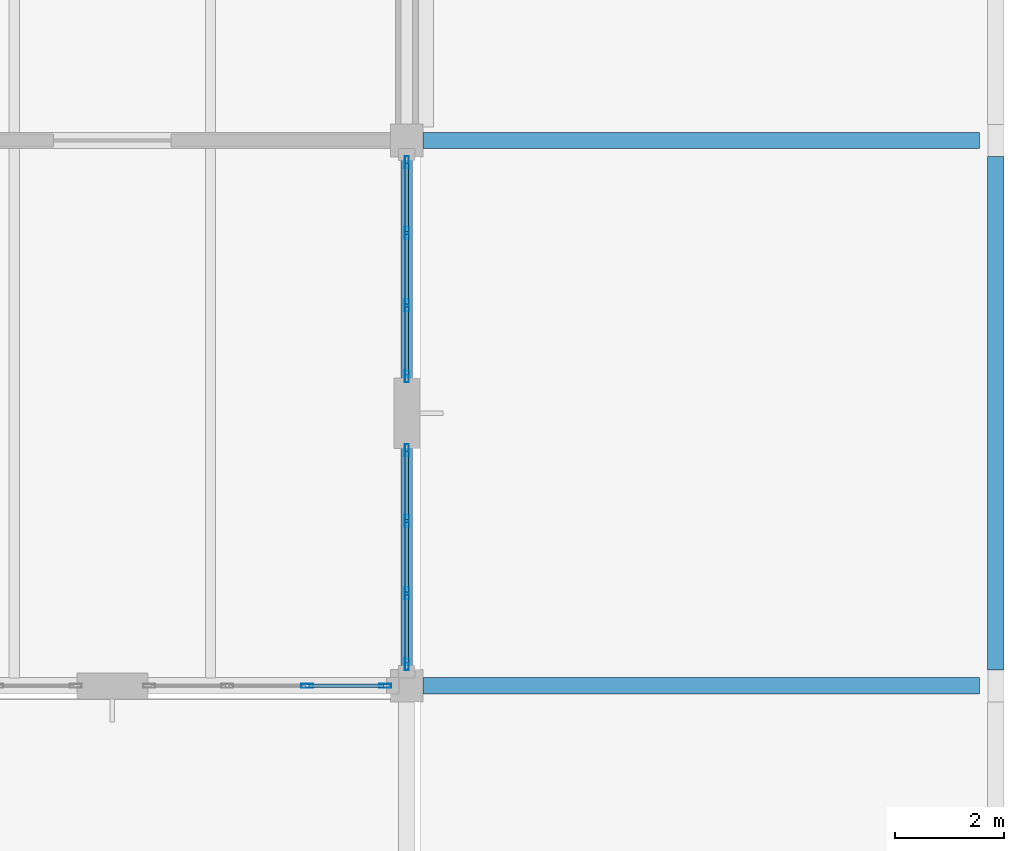
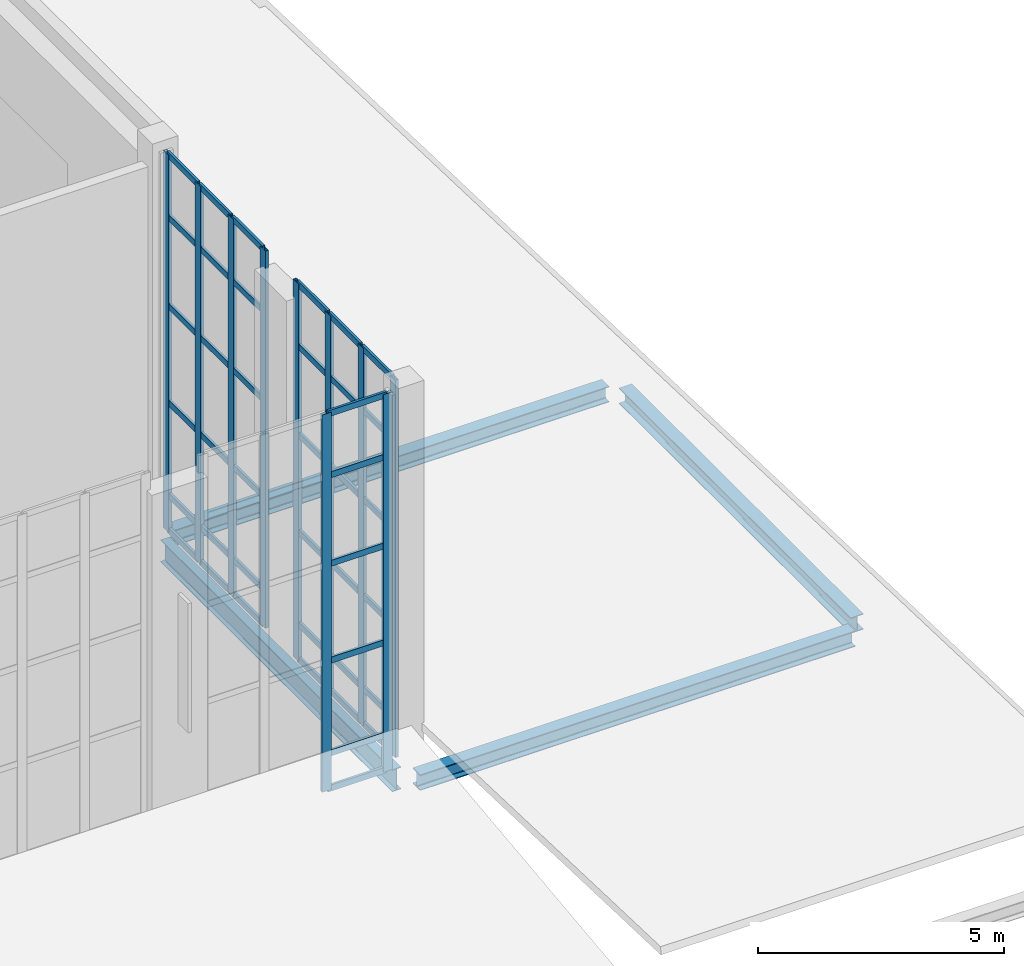
# One storey, part 59 of 100: 52 members, 4 beams, 3 elements without a shape of their own.
"""IFC4 building model written with IfcOpenShell, lengths in metres."""

from ifc_helpers import new_model, si_unit, direction, frame, origin, origin_2d, place, context, subcontext, project, spatial, hollow_rectangle, i_section, extrude, material, layer, layer_set, material_profile, profile_set, type_object, element, aggregate, save


model = new_model("IFC4")

# Units and contexts
model_context = context("Model", 3, precision=1e-05, world=origin(), true_north=direction((0.0, 1.0)))
body_context = subcontext(model_context, "Body", "Model", "MODEL_VIEW")
ifc_project = project(units=[si_unit("LENGTHUNIT", "METRE"), si_unit("AREAUNIT", "SQUARE_METRE"), si_unit("VOLUMEUNIT", "CUBIC_METRE"), si_unit("PLANEANGLEUNIT", "RADIAN"), si_unit("MASSUNIT", "GRAM", prefix="KILO")], contexts=[model_context])

# Site, building, storey
site_placement = place(None, origin())
site = spatial("IfcSite", under=ifc_project, at=site_placement, CompositionType="ELEMENT")
building_placement = place(site_placement, origin())
building = spatial("IfcBuilding", under=site, at=building_placement, Name="Tasgan Crest Museum", CompositionType="ELEMENT")
storey_placement = place(building_placement, frame((0.0, 0.0, 14.39990234375)))
storey = spatial("IfcBuildingStorey", under=building, at=storey_placement, Name="L03", CompositionType="ELEMENT", Elevation=14.39990234375)

# Beams
ifc_material_1 = material(Name="Steel S355J2", Category="steel")
ifc_material_profile_1 = material_profile(ifc_material_1, i_section(OverallWidth=0.300048828125, OverallDepth=0.389892578125, WebThickness=0.010986328125, FlangeThickness=0.01904296875, FilletRadius=0.027099609375, at=origin_2d()), Name="HEA 400")
ifc_profile_set_1 = profile_set([ifc_material_profile_1], Name="Steel S355J2")
beam_type_1 = type_object("IfcBeamType", Name="BM-G-HEA400", PredefinedType="BEAM", material=ifc_profile_set_1)
for number, where, z_axis, x_axis, name in (
    (1, (129.89599609375, 30.0, -0.474853515625), (1.0, 0.0, 0.0), (0.0, 1.0, 0.0), "East archive mid step roof girder D 129.6"),
    (2, (129.89599609375, 40.0, -0.474853515625), (1.0, 0.0, 0.0), (0.0, 1.0, 0.0), "East archive mid step roof girder E 129.6"),
):
    element("IfcBeam", number, at=place(storey_placement, frame(where, z_axis=z_axis, x_axis=x_axis)), inside=storey, type_object=beam_type_1, Name=name, PredefinedType="BEAM", context=body_context, shape_type="SweptSolid", body=[
        extrude(i_section(OverallWidth=0.300048828125, OverallDepth=0.389892578125, WebThickness=0.010986328125, FlangeThickness=0.01904296875, FilletRadius=0.027099609375, at=origin_2d()), origin(), (0.0, 0.0, 1.0), 10.2080078125),
    ])
beam_1_placement = place(storey_placement, frame((140.39990234375, 30.294921875, -0.474853515625), z_axis=(0.0, 1.0, 0.0), x_axis=(-1.0, 0.0, 0.0)))
element("IfcBeam", 3, at=beam_1_placement, inside=storey, type_object=beam_type_1, Name="East archive mid step roof beam 14 30.0", PredefinedType="BEAM", context=body_context, shape_type="SweptSolid", body=[
    extrude(i_section(OverallWidth=0.300048828125, OverallDepth=0.389892578125, WebThickness=0.010986328125, FlangeThickness=0.01904296875, FilletRadius=0.027099609375, at=origin_2d()), origin(), (0.0, 0.0, 1.0), 9.41015625),
])
ifc_material_2 = material(Name="Steel S355J2", Category="steel")
ifc_material_profile_2 = material_profile(ifc_material_2, i_section(OverallWidth=0.2099609375, OverallDepth=0.550048828125, WebThickness=0.010986328125, FlangeThickness=0.01708984375, FilletRadius=0.02392578125, at=origin_2d()), Name="IPE 550")
ifc_profile_set_2 = profile_set([ifc_material_profile_2], Name="Steel S355J2")
beam_type_2 = type_object("IfcBeamType", Name="BM-G-IPE550", PredefinedType="BEAM", material=ifc_profile_set_2)
beam_2_placement = place(storey_placement, frame((129.60009765625, 30.294921875, -0.554931640625), z_axis=(0.0, 1.0, 0.0), x_axis=(-1.0, 0.0, 0.0)))
element("IfcBeam", 4, at=beam_2_placement, inside=storey, type_object=beam_type_2, Name="Beam L03 13 30.0-40.0", PredefinedType="BEAM", context=body_context, shape_type="SweptSolid", body=[
    extrude(i_section(OverallWidth=0.2099609375, OverallDepth=0.550048828125, WebThickness=0.010986328125, FlangeThickness=0.01708984375, FilletRadius=0.02392578125, at=origin_2d()), origin(), (0.0, 0.0, 1.0), 9.41015625),
])

# Curtain wall, members
ifc_material_3 = material(Name="Triple-Glazed Aluminium Curtain Wall", Category="aluminium")
ifc_layer_1 = layer(ifc_material_3, 0.179931640625, Name="CW-GAL-X-96")
ifc_layer_set_1 = layer_set([ifc_layer_1], Name="Triple-Glazed Aluminium Curtain Wall")
curtain_wall_type_1 = type_object("IfcCurtainWallType", Name="CW-GAL-X-96", PredefinedType="NOTDEFINED", material=ifc_layer_set_1)
curtain_wall_1_placement = place(storey_placement, origin())
curtain_wall_1 = element("IfcCurtainWall", 5, at=curtain_wall_1_placement, inside=storey, type_object=curtain_wall_type_1, Name="Curtain wall L03 116", PredefinedType="NOTDEFINED")
ifc_material_4 = material(Name="Anodised Aluminium", Category="aluminium")
ifc_material_profile_3 = material_profile(ifc_material_4, hollow_rectangle(XDim=0.074951171875, YDim=0.219970703125, WallThickness=0.006103515625, at=origin_2d()), Name="ALU MULLION 220x75x6")
ifc_profile_set_3 = profile_set([ifc_material_profile_3], Name="Anodised Aluminium")
member_type_1 = type_object("IfcMemberType", Name="CW-MULLION-220", PredefinedType="MULLION", material=ifc_profile_set_3)
member_1_placement = place(storey_placement, frame((127.771728515625, 30.0, 0.0), z_axis=(0.0, 0.0, 1.0), x_axis=(0.0, 1.0, 0.0)))
member_1 = element("IfcMember", 6, at=member_1_placement, type_object=member_type_1, Name="CW14 mullion 3", PredefinedType="MULLION", context=body_context, shape_type="SweptSolid", body=[
    extrude(hollow_rectangle(XDim=0.074951171875, YDim=0.219970703125, WallThickness=0.006103515625, at=origin_2d()), origin(), (0.0, 0.0, 1.0), 9.360107421875),
])
member_2_placement = place(storey_placement, frame((129.205078125, 30.0, 0.0), z_axis=(0.0, 0.0, 1.0), x_axis=(0.0, 1.0, 0.0)))
member_2 = element("IfcMember", 7, at=member_2_placement, type_object=member_type_1, Name="CW14 mullion 4", PredefinedType="MULLION", context=body_context, shape_type="SweptSolid", body=[
    extrude(hollow_rectangle(XDim=0.074951171875, YDim=0.219970703125, WallThickness=0.006103515625, at=origin_2d()), origin(), (0.0, 0.0, 1.0), 9.360107421875),
])

ifc_material_5 = material(Name="Triple-Glazed Aluminium Curtain Wall", Category="aluminium")
ifc_layer_2 = layer(ifc_material_5, 0.179931640625, Name="CW-GAL-Y-96")
ifc_layer_set_2 = layer_set([ifc_layer_2], Name="Triple-Glazed Aluminium Curtain Wall")
curtain_wall_type_2 = type_object("IfcCurtainWallType", Name="CW-GAL-Y-96", PredefinedType="NOTDEFINED", material=ifc_layer_set_2)
curtain_wall_2_placement = place(storey_placement, origin())
curtain_wall_2 = element("IfcCurtainWall", 8, at=curtain_wall_2_placement, inside=storey, type_object=curtain_wall_type_2, Name="Curtain wall L03 117", PredefinedType="NOTDEFINED")
member_3_placement = place(storey_placement, frame((129.60009765625, 30.39501953125, 0.0), z_axis=(0.0, 0.0, 1.0), x_axis=(-1.0, 0.0, 0.0)))
member_3 = element("IfcMember", 9, at=member_3_placement, type_object=member_type_1, Name="CW17 mullion 1", PredefinedType="MULLION", context=body_context, shape_type="SweptSolid", body=[
    extrude(hollow_rectangle(XDim=0.074951171875, YDim=0.219970703125, WallThickness=0.006103515625, at=origin_2d()), origin(), (0.0, 0.0, 1.0), 9.360107421875),
])
member_4_placement = place(storey_placement, frame((129.60009765625, 31.695068359375, 0.0), z_axis=(0.0, 0.0, 1.0), x_axis=(-1.0, 0.0, 0.0)))
member_4 = element("IfcMember", 10, at=member_4_placement, type_object=member_type_1, Name="CW17 mullion 2", PredefinedType="MULLION", context=body_context, shape_type="SweptSolid", body=[
    extrude(hollow_rectangle(XDim=0.074951171875, YDim=0.219970703125, WallThickness=0.006103515625, at=origin_2d()), origin(), (0.0, 0.0, 1.0), 9.360107421875),
])
member_5_placement = place(storey_placement, frame((129.60009765625, 33.02490234375, 0.0), z_axis=(0.0, 0.0, 1.0), x_axis=(-1.0, 0.0, 0.0)))
member_5 = element("IfcMember", 11, at=member_5_placement, type_object=member_type_1, Name="CW17 mullion 3", PredefinedType="MULLION", context=body_context, shape_type="SweptSolid", body=[
    extrude(hollow_rectangle(XDim=0.074951171875, YDim=0.219970703125, WallThickness=0.006103515625, at=origin_2d()), origin(), (0.0, 0.0, 1.0), 9.360107421875),
])
member_6_placement = place(storey_placement, frame((129.60009765625, 34.324951171875, 0.0), z_axis=(0.0, 0.0, 1.0), x_axis=(-1.0, 0.0, 0.0)))
member_6 = element("IfcMember", 12, at=member_6_placement, type_object=member_type_1, Name="CW17 mullion 4", PredefinedType="MULLION", context=body_context, shape_type="SweptSolid", body=[
    extrude(hollow_rectangle(XDim=0.074951171875, YDim=0.219970703125, WallThickness=0.006103515625, at=origin_2d()), origin(), (0.0, 0.0, 1.0), 9.360107421875),
])

curtain_wall_3_placement = place(storey_placement, origin())
curtain_wall_3 = element("IfcCurtainWall", 13, at=curtain_wall_3_placement, inside=storey, type_object=curtain_wall_type_2, Name="Curtain wall L03 118", PredefinedType="NOTDEFINED")
member_7_placement = place(storey_placement, frame((129.60009765625, 35.675048828125, 0.0), z_axis=(0.0, 0.0, 1.0), x_axis=(-1.0, 0.0, 0.0)))
member_7 = element("IfcMember", 14, at=member_7_placement, type_object=member_type_1, Name="CW17 mullion 1", PredefinedType="MULLION", context=body_context, shape_type="SweptSolid", body=[
    extrude(hollow_rectangle(XDim=0.074951171875, YDim=0.219970703125, WallThickness=0.006103515625, at=origin_2d()), origin(), (0.0, 0.0, 1.0), 9.360107421875),
])
member_8_placement = place(storey_placement, frame((129.60009765625, 36.97509765625, 0.0), z_axis=(0.0, 0.0, 1.0), x_axis=(-1.0, 0.0, 0.0)))
member_8 = element("IfcMember", 15, at=member_8_placement, type_object=member_type_1, Name="CW17 mullion 2", PredefinedType="MULLION", context=body_context, shape_type="SweptSolid", body=[
    extrude(hollow_rectangle(XDim=0.074951171875, YDim=0.219970703125, WallThickness=0.006103515625, at=origin_2d()), origin(), (0.0, 0.0, 1.0), 9.360107421875),
])
member_9_placement = place(storey_placement, frame((129.60009765625, 38.304931640625, 0.0), z_axis=(0.0, 0.0, 1.0), x_axis=(-1.0, 0.0, 0.0)))
member_9 = element("IfcMember", 16, at=member_9_placement, type_object=member_type_1, Name="CW17 mullion 3", PredefinedType="MULLION", context=body_context, shape_type="SweptSolid", body=[
    extrude(hollow_rectangle(XDim=0.074951171875, YDim=0.219970703125, WallThickness=0.006103515625, at=origin_2d()), origin(), (0.0, 0.0, 1.0), 9.360107421875),
])
member_10_placement = place(storey_placement, frame((129.60009765625, 39.60498046875, 0.0), z_axis=(0.0, 0.0, 1.0), x_axis=(-1.0, 0.0, 0.0)))
member_10 = element("IfcMember", 17, at=member_10_placement, type_object=member_type_1, Name="CW17 mullion 4", PredefinedType="MULLION", context=body_context, shape_type="SweptSolid", body=[
    extrude(hollow_rectangle(XDim=0.074951171875, YDim=0.219970703125, WallThickness=0.006103515625, at=origin_2d()), origin(), (0.0, 0.0, 1.0), 9.360107421875),
])

# Member
ifc_material_6 = material(Name="Anodised Aluminium", Category="aluminium")
ifc_material_profile_4 = material_profile(ifc_material_6, hollow_rectangle(XDim=0.06005859375, YDim=0.14990234375, WallThickness=0.0048828125, at=origin_2d()), Name="ALU TRANSOM 150x60x5")
ifc_profile_set_4 = profile_set([ifc_material_profile_4], Name="Anodised Aluminium")
member_type_2 = type_object("IfcMemberType", Name="CW-TRANSOM-150", PredefinedType="USERDEFINED", material=ifc_profile_set_4)
member_11_placement = place(storey_placement, frame((127.8017578125, 30.0, 0.030029296875), z_axis=(1.0, 0.0, 0.0), x_axis=(0.0, 1.0, 0.0)))
member_11 = element("IfcMember", 18, at=member_11_placement, type_object=member_type_2, Name="CW14 transom 3.1", ObjectType="TRANSOM", PredefinedType="USERDEFINED", context=body_context, shape_type="SweptSolid", body=[
    extrude(hollow_rectangle(XDim=0.06005859375, YDim=0.14990234375, WallThickness=0.0048828125, at=origin_2d()), origin(), (0.0, 0.0, 1.0), 1.373291015625),
])

member_12_placement = place(storey_placement, frame((127.8017578125, 30.0, 0.900146484375), z_axis=(1.0, 0.0, 0.0), x_axis=(0.0, 1.0, 0.0)))
member_12 = element("IfcMember", 19, at=member_12_placement, type_object=member_type_2, Name="CW14 transom 3.2", ObjectType="TRANSOM", PredefinedType="USERDEFINED", context=body_context, shape_type="SweptSolid", body=[
    extrude(hollow_rectangle(XDim=0.06005859375, YDim=0.14990234375, WallThickness=0.0048828125, at=origin_2d()), origin(), (0.0, 0.0, 1.0), 1.373291015625),
])

member_13_placement = place(storey_placement, frame((127.8017578125, 30.0, 3.2001953125), z_axis=(1.0, 0.0, 0.0), x_axis=(0.0, 1.0, 0.0)))
member_13 = element("IfcMember", 20, at=member_13_placement, type_object=member_type_2, Name="CW14 transom 3.3", ObjectType="TRANSOM", PredefinedType="USERDEFINED", context=body_context, shape_type="SweptSolid", body=[
    extrude(hollow_rectangle(XDim=0.06005859375, YDim=0.14990234375, WallThickness=0.0048828125, at=origin_2d()), origin(), (0.0, 0.0, 1.0), 1.373291015625),
])

member_14_placement = place(storey_placement, frame((127.8017578125, 30.0, 5.60009765625), z_axis=(1.0, 0.0, 0.0), x_axis=(0.0, 1.0, 0.0)))
member_14 = element("IfcMember", 21, at=member_14_placement, type_object=member_type_2, Name="CW14 transom 3.4", ObjectType="TRANSOM", PredefinedType="USERDEFINED", context=body_context, shape_type="SweptSolid", body=[
    extrude(hollow_rectangle(XDim=0.06005859375, YDim=0.14990234375, WallThickness=0.0048828125, at=origin_2d()), origin(), (0.0, 0.0, 1.0), 1.373291015625),
])

member_15_placement = place(storey_placement, frame((127.8017578125, 30.0, 7.800048828125), z_axis=(1.0, 0.0, 0.0), x_axis=(0.0, 1.0, 0.0)))
member_15 = element("IfcMember", 22, at=member_15_placement, type_object=member_type_2, Name="CW14 transom 3.5", ObjectType="TRANSOM", PredefinedType="USERDEFINED", context=body_context, shape_type="SweptSolid", body=[
    extrude(hollow_rectangle(XDim=0.06005859375, YDim=0.14990234375, WallThickness=0.0048828125, at=origin_2d()), origin(), (0.0, 0.0, 1.0), 1.373291015625),
])

member_16_placement = place(storey_placement, frame((127.8017578125, 30.0, 9.330078125), z_axis=(1.0, 0.0, 0.0), x_axis=(0.0, 1.0, 0.0)))
member_16 = element("IfcMember", 23, at=member_16_placement, type_object=member_type_2, Name="CW14 transom 3.6", ObjectType="TRANSOM", PredefinedType="USERDEFINED", context=body_context, shape_type="SweptSolid", body=[
    extrude(hollow_rectangle(XDim=0.06005859375, YDim=0.14990234375, WallThickness=0.0048828125, at=origin_2d()), origin(), (0.0, 0.0, 1.0), 1.373291015625),
])

aggregate(curtain_wall_1, [member_1, member_2, member_11, member_12, member_13, member_14, member_15, member_16])

member_17_placement = place(storey_placement, frame((129.60009765625, 30.425048828125, 0.030029296875), z_axis=(0.0, 1.0, 0.0), x_axis=(-1.0, 0.0, 0.0)))
member_17 = element("IfcMember", 24, at=member_17_placement, type_object=member_type_2, Name="CW17 transom 1.1", ObjectType="TRANSOM", PredefinedType="USERDEFINED", context=body_context, shape_type="SweptSolid", body=[
    extrude(hollow_rectangle(XDim=0.06005859375, YDim=0.14990234375, WallThickness=0.0048828125, at=origin_2d()), origin(), (0.0, 0.0, 1.0), 1.239990234375),
])

member_18_placement = place(storey_placement, frame((129.60009765625, 30.425048828125, 0.900146484375), z_axis=(0.0, 1.0, 0.0), x_axis=(-1.0, 0.0, 0.0)))
member_18 = element("IfcMember", 25, at=member_18_placement, type_object=member_type_2, Name="CW17 transom 1.2", ObjectType="TRANSOM", PredefinedType="USERDEFINED", context=body_context, shape_type="SweptSolid", body=[
    extrude(hollow_rectangle(XDim=0.06005859375, YDim=0.14990234375, WallThickness=0.0048828125, at=origin_2d()), origin(), (0.0, 0.0, 1.0), 1.239990234375),
])

member_19_placement = place(storey_placement, frame((129.60009765625, 30.425048828125, 3.2001953125), z_axis=(0.0, 1.0, 0.0), x_axis=(-1.0, 0.0, 0.0)))
member_19 = element("IfcMember", 26, at=member_19_placement, type_object=member_type_2, Name="CW17 transom 1.3", ObjectType="TRANSOM", PredefinedType="USERDEFINED", context=body_context, shape_type="SweptSolid", body=[
    extrude(hollow_rectangle(XDim=0.06005859375, YDim=0.14990234375, WallThickness=0.0048828125, at=origin_2d()), origin(), (0.0, 0.0, 1.0), 1.239990234375),
])

member_20_placement = place(storey_placement, frame((129.60009765625, 30.425048828125, 5.60009765625), z_axis=(0.0, 1.0, 0.0), x_axis=(-1.0, 0.0, 0.0)))
member_20 = element("IfcMember", 27, at=member_20_placement, type_object=member_type_2, Name="CW17 transom 1.4", ObjectType="TRANSOM", PredefinedType="USERDEFINED", context=body_context, shape_type="SweptSolid", body=[
    extrude(hollow_rectangle(XDim=0.06005859375, YDim=0.14990234375, WallThickness=0.0048828125, at=origin_2d()), origin(), (0.0, 0.0, 1.0), 1.239990234375),
])

member_21_placement = place(storey_placement, frame((129.60009765625, 30.425048828125, 7.800048828125), z_axis=(0.0, 1.0, 0.0), x_axis=(-1.0, 0.0, 0.0)))
member_21 = element("IfcMember", 28, at=member_21_placement, type_object=member_type_2, Name="CW17 transom 1.5", ObjectType="TRANSOM", PredefinedType="USERDEFINED", context=body_context, shape_type="SweptSolid", body=[
    extrude(hollow_rectangle(XDim=0.06005859375, YDim=0.14990234375, WallThickness=0.0048828125, at=origin_2d()), origin(), (0.0, 0.0, 1.0), 1.239990234375),
])

member_22_placement = place(storey_placement, frame((129.60009765625, 30.425048828125, 9.330078125), z_axis=(0.0, 1.0, 0.0), x_axis=(-1.0, 0.0, 0.0)))
member_22 = element("IfcMember", 29, at=member_22_placement, type_object=member_type_2, Name="CW17 transom 1.6", ObjectType="TRANSOM", PredefinedType="USERDEFINED", context=body_context, shape_type="SweptSolid", body=[
    extrude(hollow_rectangle(XDim=0.06005859375, YDim=0.14990234375, WallThickness=0.0048828125, at=origin_2d()), origin(), (0.0, 0.0, 1.0), 1.239990234375),
])

member_23_placement = place(storey_placement, frame((129.60009765625, 31.72509765625, 0.030029296875), z_axis=(0.0, 1.0, 0.0), x_axis=(-1.0, 0.0, 0.0)))
member_23 = element("IfcMember", 30, at=member_23_placement, type_object=member_type_2, Name="CW17 transom 2.1", ObjectType="TRANSOM", PredefinedType="USERDEFINED", context=body_context, shape_type="SweptSolid", body=[
    extrude(hollow_rectangle(XDim=0.06005859375, YDim=0.14990234375, WallThickness=0.0048828125, at=origin_2d()), origin(), (0.0, 0.0, 1.0), 1.27001953125),
])

member_24_placement = place(storey_placement, frame((129.60009765625, 31.72509765625, 0.900146484375), z_axis=(0.0, 1.0, 0.0), x_axis=(-1.0, 0.0, 0.0)))
member_24 = element("IfcMember", 31, at=member_24_placement, type_object=member_type_2, Name="CW17 transom 2.2", ObjectType="TRANSOM", PredefinedType="USERDEFINED", context=body_context, shape_type="SweptSolid", body=[
    extrude(hollow_rectangle(XDim=0.06005859375, YDim=0.14990234375, WallThickness=0.0048828125, at=origin_2d()), origin(), (0.0, 0.0, 1.0), 1.27001953125),
])

member_25_placement = place(storey_placement, frame((129.60009765625, 31.72509765625, 3.2001953125), z_axis=(0.0, 1.0, 0.0), x_axis=(-1.0, 0.0, 0.0)))
member_25 = element("IfcMember", 32, at=member_25_placement, type_object=member_type_2, Name="CW17 transom 2.3", ObjectType="TRANSOM", PredefinedType="USERDEFINED", context=body_context, shape_type="SweptSolid", body=[
    extrude(hollow_rectangle(XDim=0.06005859375, YDim=0.14990234375, WallThickness=0.0048828125, at=origin_2d()), origin(), (0.0, 0.0, 1.0), 1.27001953125),
])

member_26_placement = place(storey_placement, frame((129.60009765625, 31.72509765625, 5.60009765625), z_axis=(0.0, 1.0, 0.0), x_axis=(-1.0, 0.0, 0.0)))
member_26 = element("IfcMember", 33, at=member_26_placement, type_object=member_type_2, Name="CW17 transom 2.4", ObjectType="TRANSOM", PredefinedType="USERDEFINED", context=body_context, shape_type="SweptSolid", body=[
    extrude(hollow_rectangle(XDim=0.06005859375, YDim=0.14990234375, WallThickness=0.0048828125, at=origin_2d()), origin(), (0.0, 0.0, 1.0), 1.27001953125),
])

member_27_placement = place(storey_placement, frame((129.60009765625, 31.72509765625, 7.800048828125), z_axis=(0.0, 1.0, 0.0), x_axis=(-1.0, 0.0, 0.0)))
member_27 = element("IfcMember", 34, at=member_27_placement, type_object=member_type_2, Name="CW17 transom 2.5", ObjectType="TRANSOM", PredefinedType="USERDEFINED", context=body_context, shape_type="SweptSolid", body=[
    extrude(hollow_rectangle(XDim=0.06005859375, YDim=0.14990234375, WallThickness=0.0048828125, at=origin_2d()), origin(), (0.0, 0.0, 1.0), 1.27001953125),
])

member_28_placement = place(storey_placement, frame((129.60009765625, 31.72509765625, 9.330078125), z_axis=(0.0, 1.0, 0.0), x_axis=(-1.0, 0.0, 0.0)))
member_28 = element("IfcMember", 35, at=member_28_placement, type_object=member_type_2, Name="CW17 transom 2.6", ObjectType="TRANSOM", PredefinedType="USERDEFINED", context=body_context, shape_type="SweptSolid", body=[
    extrude(hollow_rectangle(XDim=0.06005859375, YDim=0.14990234375, WallThickness=0.0048828125, at=origin_2d()), origin(), (0.0, 0.0, 1.0), 1.27001953125),
])

member_29_placement = place(storey_placement, frame((129.60009765625, 33.054931640625, 0.030029296875), z_axis=(0.0, 1.0, 0.0), x_axis=(-1.0, 0.0, 0.0)))
member_29 = element("IfcMember", 36, at=member_29_placement, type_object=member_type_2, Name="CW17 transom 3.1", ObjectType="TRANSOM", PredefinedType="USERDEFINED", context=body_context, shape_type="SweptSolid", body=[
    extrude(hollow_rectangle(XDim=0.06005859375, YDim=0.14990234375, WallThickness=0.0048828125, at=origin_2d()), origin(), (0.0, 0.0, 1.0), 1.239990234375),
])

member_30_placement = place(storey_placement, frame((129.60009765625, 33.054931640625, 0.900146484375), z_axis=(0.0, 1.0, 0.0), x_axis=(-1.0, 0.0, 0.0)))
member_30 = element("IfcMember", 37, at=member_30_placement, type_object=member_type_2, Name="CW17 transom 3.2", ObjectType="TRANSOM", PredefinedType="USERDEFINED", context=body_context, shape_type="SweptSolid", body=[
    extrude(hollow_rectangle(XDim=0.06005859375, YDim=0.14990234375, WallThickness=0.0048828125, at=origin_2d()), origin(), (0.0, 0.0, 1.0), 1.239990234375),
])

member_31_placement = place(storey_placement, frame((129.60009765625, 33.054931640625, 3.2001953125), z_axis=(0.0, 1.0, 0.0), x_axis=(-1.0, 0.0, 0.0)))
member_31 = element("IfcMember", 38, at=member_31_placement, type_object=member_type_2, Name="CW17 transom 3.3", ObjectType="TRANSOM", PredefinedType="USERDEFINED", context=body_context, shape_type="SweptSolid", body=[
    extrude(hollow_rectangle(XDim=0.06005859375, YDim=0.14990234375, WallThickness=0.0048828125, at=origin_2d()), origin(), (0.0, 0.0, 1.0), 1.239990234375),
])

member_32_placement = place(storey_placement, frame((129.60009765625, 33.054931640625, 5.60009765625), z_axis=(0.0, 1.0, 0.0), x_axis=(-1.0, 0.0, 0.0)))
member_32 = element("IfcMember", 39, at=member_32_placement, type_object=member_type_2, Name="CW17 transom 3.4", ObjectType="TRANSOM", PredefinedType="USERDEFINED", context=body_context, shape_type="SweptSolid", body=[
    extrude(hollow_rectangle(XDim=0.06005859375, YDim=0.14990234375, WallThickness=0.0048828125, at=origin_2d()), origin(), (0.0, 0.0, 1.0), 1.239990234375),
])

member_33_placement = place(storey_placement, frame((129.60009765625, 33.054931640625, 7.800048828125), z_axis=(0.0, 1.0, 0.0), x_axis=(-1.0, 0.0, 0.0)))
member_33 = element("IfcMember", 40, at=member_33_placement, type_object=member_type_2, Name="CW17 transom 3.5", ObjectType="TRANSOM", PredefinedType="USERDEFINED", context=body_context, shape_type="SweptSolid", body=[
    extrude(hollow_rectangle(XDim=0.06005859375, YDim=0.14990234375, WallThickness=0.0048828125, at=origin_2d()), origin(), (0.0, 0.0, 1.0), 1.239990234375),
])

member_34_placement = place(storey_placement, frame((129.60009765625, 33.054931640625, 9.330078125), z_axis=(0.0, 1.0, 0.0), x_axis=(-1.0, 0.0, 0.0)))
member_34 = element("IfcMember", 41, at=member_34_placement, type_object=member_type_2, Name="CW17 transom 3.6", ObjectType="TRANSOM", PredefinedType="USERDEFINED", context=body_context, shape_type="SweptSolid", body=[
    extrude(hollow_rectangle(XDim=0.06005859375, YDim=0.14990234375, WallThickness=0.0048828125, at=origin_2d()), origin(), (0.0, 0.0, 1.0), 1.239990234375),
])

aggregate(curtain_wall_2, [member_3, member_4, member_5, member_6, member_17, member_18, member_19, member_20, member_21, member_22, member_23, member_24, member_25, member_26, member_27, member_28, member_29, member_30, member_31, member_32, member_33, member_34])

member_35_placement = place(storey_placement, frame((129.60009765625, 35.705078125, 0.030029296875), z_axis=(0.0, 1.0, 0.0), x_axis=(-1.0, 0.0, 0.0)))
member_35 = element("IfcMember", 42, at=member_35_placement, type_object=member_type_2, Name="CW17 transom 1.1", ObjectType="TRANSOM", PredefinedType="USERDEFINED", context=body_context, shape_type="SweptSolid", body=[
    extrude(hollow_rectangle(XDim=0.06005859375, YDim=0.14990234375, WallThickness=0.0048828125, at=origin_2d()), origin(), (0.0, 0.0, 1.0), 1.239990234375),
])

member_36_placement = place(storey_placement, frame((129.60009765625, 35.705078125, 0.900146484375), z_axis=(0.0, 1.0, 0.0), x_axis=(-1.0, 0.0, 0.0)))
member_36 = element("IfcMember", 43, at=member_36_placement, type_object=member_type_2, Name="CW17 transom 1.2", ObjectType="TRANSOM", PredefinedType="USERDEFINED", context=body_context, shape_type="SweptSolid", body=[
    extrude(hollow_rectangle(XDim=0.06005859375, YDim=0.14990234375, WallThickness=0.0048828125, at=origin_2d()), origin(), (0.0, 0.0, 1.0), 1.239990234375),
])

member_37_placement = place(storey_placement, frame((129.60009765625, 35.705078125, 3.2001953125), z_axis=(0.0, 1.0, 0.0), x_axis=(-1.0, 0.0, 0.0)))
member_37 = element("IfcMember", 44, at=member_37_placement, type_object=member_type_2, Name="CW17 transom 1.3", ObjectType="TRANSOM", PredefinedType="USERDEFINED", context=body_context, shape_type="SweptSolid", body=[
    extrude(hollow_rectangle(XDim=0.06005859375, YDim=0.14990234375, WallThickness=0.0048828125, at=origin_2d()), origin(), (0.0, 0.0, 1.0), 1.239990234375),
])

member_38_placement = place(storey_placement, frame((129.60009765625, 35.705078125, 5.60009765625), z_axis=(0.0, 1.0, 0.0), x_axis=(-1.0, 0.0, 0.0)))
member_38 = element("IfcMember", 45, at=member_38_placement, type_object=member_type_2, Name="CW17 transom 1.4", ObjectType="TRANSOM", PredefinedType="USERDEFINED", context=body_context, shape_type="SweptSolid", body=[
    extrude(hollow_rectangle(XDim=0.06005859375, YDim=0.14990234375, WallThickness=0.0048828125, at=origin_2d()), origin(), (0.0, 0.0, 1.0), 1.239990234375),
])

member_39_placement = place(storey_placement, frame((129.60009765625, 35.705078125, 7.800048828125), z_axis=(0.0, 1.0, 0.0), x_axis=(-1.0, 0.0, 0.0)))
member_39 = element("IfcMember", 46, at=member_39_placement, type_object=member_type_2, Name="CW17 transom 1.5", ObjectType="TRANSOM", PredefinedType="USERDEFINED", context=body_context, shape_type="SweptSolid", body=[
    extrude(hollow_rectangle(XDim=0.06005859375, YDim=0.14990234375, WallThickness=0.0048828125, at=origin_2d()), origin(), (0.0, 0.0, 1.0), 1.239990234375),
])

member_40_placement = place(storey_placement, frame((129.60009765625, 35.705078125, 9.330078125), z_axis=(0.0, 1.0, 0.0), x_axis=(-1.0, 0.0, 0.0)))
member_40 = element("IfcMember", 47, at=member_40_placement, type_object=member_type_2, Name="CW17 transom 1.6", ObjectType="TRANSOM", PredefinedType="USERDEFINED", context=body_context, shape_type="SweptSolid", body=[
    extrude(hollow_rectangle(XDim=0.06005859375, YDim=0.14990234375, WallThickness=0.0048828125, at=origin_2d()), origin(), (0.0, 0.0, 1.0), 1.239990234375),
])

member_41_placement = place(storey_placement, frame((129.60009765625, 37.0048828125, 0.030029296875), z_axis=(0.0, 1.0, 0.0), x_axis=(-1.0, 0.0, 0.0)))
member_41 = element("IfcMember", 48, at=member_41_placement, type_object=member_type_2, Name="CW17 transom 2.1", ObjectType="TRANSOM", PredefinedType="USERDEFINED", context=body_context, shape_type="SweptSolid", body=[
    extrude(hollow_rectangle(XDim=0.06005859375, YDim=0.14990234375, WallThickness=0.0048828125, at=origin_2d()), origin(), (0.0, 0.0, 1.0), 1.27001953125),
])

member_42_placement = place(storey_placement, frame((129.60009765625, 37.0048828125, 0.900146484375), z_axis=(0.0, 1.0, 0.0), x_axis=(-1.0, 0.0, 0.0)))
member_42 = element("IfcMember", 49, at=member_42_placement, type_object=member_type_2, Name="CW17 transom 2.2", ObjectType="TRANSOM", PredefinedType="USERDEFINED", context=body_context, shape_type="SweptSolid", body=[
    extrude(hollow_rectangle(XDim=0.06005859375, YDim=0.14990234375, WallThickness=0.0048828125, at=origin_2d()), origin(), (0.0, 0.0, 1.0), 1.27001953125),
])

member_43_placement = place(storey_placement, frame((129.60009765625, 37.0048828125, 3.2001953125), z_axis=(0.0, 1.0, 0.0), x_axis=(-1.0, 0.0, 0.0)))
member_43 = element("IfcMember", 50, at=member_43_placement, type_object=member_type_2, Name="CW17 transom 2.3", ObjectType="TRANSOM", PredefinedType="USERDEFINED", context=body_context, shape_type="SweptSolid", body=[
    extrude(hollow_rectangle(XDim=0.06005859375, YDim=0.14990234375, WallThickness=0.0048828125, at=origin_2d()), origin(), (0.0, 0.0, 1.0), 1.27001953125),
])

member_44_placement = place(storey_placement, frame((129.60009765625, 37.0048828125, 5.60009765625), z_axis=(0.0, 1.0, 0.0), x_axis=(-1.0, 0.0, 0.0)))
member_44 = element("IfcMember", 51, at=member_44_placement, type_object=member_type_2, Name="CW17 transom 2.4", ObjectType="TRANSOM", PredefinedType="USERDEFINED", context=body_context, shape_type="SweptSolid", body=[
    extrude(hollow_rectangle(XDim=0.06005859375, YDim=0.14990234375, WallThickness=0.0048828125, at=origin_2d()), origin(), (0.0, 0.0, 1.0), 1.27001953125),
])

member_45_placement = place(storey_placement, frame((129.60009765625, 37.0048828125, 7.800048828125), z_axis=(0.0, 1.0, 0.0), x_axis=(-1.0, 0.0, 0.0)))
member_45 = element("IfcMember", 52, at=member_45_placement, type_object=member_type_2, Name="CW17 transom 2.5", ObjectType="TRANSOM", PredefinedType="USERDEFINED", context=body_context, shape_type="SweptSolid", body=[
    extrude(hollow_rectangle(XDim=0.06005859375, YDim=0.14990234375, WallThickness=0.0048828125, at=origin_2d()), origin(), (0.0, 0.0, 1.0), 1.27001953125),
])

member_46_placement = place(storey_placement, frame((129.60009765625, 37.0048828125, 9.330078125), z_axis=(0.0, 1.0, 0.0), x_axis=(-1.0, 0.0, 0.0)))
member_46 = element("IfcMember", 53, at=member_46_placement, type_object=member_type_2, Name="CW17 transom 2.6", ObjectType="TRANSOM", PredefinedType="USERDEFINED", context=body_context, shape_type="SweptSolid", body=[
    extrude(hollow_rectangle(XDim=0.06005859375, YDim=0.14990234375, WallThickness=0.0048828125, at=origin_2d()), origin(), (0.0, 0.0, 1.0), 1.27001953125),
])

member_47_placement = place(storey_placement, frame((129.60009765625, 38.3349609375, 0.030029296875), z_axis=(0.0, 1.0, 0.0), x_axis=(-1.0, 0.0, 0.0)))
member_47 = element("IfcMember", 54, at=member_47_placement, type_object=member_type_2, Name="CW17 transom 3.1", ObjectType="TRANSOM", PredefinedType="USERDEFINED", context=body_context, shape_type="SweptSolid", body=[
    extrude(hollow_rectangle(XDim=0.06005859375, YDim=0.14990234375, WallThickness=0.0048828125, at=origin_2d()), origin(), (0.0, 0.0, 1.0), 1.239990234375),
])

member_48_placement = place(storey_placement, frame((129.60009765625, 38.3349609375, 0.900146484375), z_axis=(0.0, 1.0, 0.0), x_axis=(-1.0, 0.0, 0.0)))
member_48 = element("IfcMember", 55, at=member_48_placement, type_object=member_type_2, Name="CW17 transom 3.2", ObjectType="TRANSOM", PredefinedType="USERDEFINED", context=body_context, shape_type="SweptSolid", body=[
    extrude(hollow_rectangle(XDim=0.06005859375, YDim=0.14990234375, WallThickness=0.0048828125, at=origin_2d()), origin(), (0.0, 0.0, 1.0), 1.239990234375),
])

member_49_placement = place(storey_placement, frame((129.60009765625, 38.3349609375, 3.2001953125), z_axis=(0.0, 1.0, 0.0), x_axis=(-1.0, 0.0, 0.0)))
member_49 = element("IfcMember", 56, at=member_49_placement, type_object=member_type_2, Name="CW17 transom 3.3", ObjectType="TRANSOM", PredefinedType="USERDEFINED", context=body_context, shape_type="SweptSolid", body=[
    extrude(hollow_rectangle(XDim=0.06005859375, YDim=0.14990234375, WallThickness=0.0048828125, at=origin_2d()), origin(), (0.0, 0.0, 1.0), 1.239990234375),
])

member_50_placement = place(storey_placement, frame((129.60009765625, 38.3349609375, 5.60009765625), z_axis=(0.0, 1.0, 0.0), x_axis=(-1.0, 0.0, 0.0)))
member_50 = element("IfcMember", 57, at=member_50_placement, type_object=member_type_2, Name="CW17 transom 3.4", ObjectType="TRANSOM", PredefinedType="USERDEFINED", context=body_context, shape_type="SweptSolid", body=[
    extrude(hollow_rectangle(XDim=0.06005859375, YDim=0.14990234375, WallThickness=0.0048828125, at=origin_2d()), origin(), (0.0, 0.0, 1.0), 1.239990234375),
])

member_51_placement = place(storey_placement, frame((129.60009765625, 38.3349609375, 7.800048828125), z_axis=(0.0, 1.0, 0.0), x_axis=(-1.0, 0.0, 0.0)))
member_51 = element("IfcMember", 58, at=member_51_placement, type_object=member_type_2, Name="CW17 transom 3.5", ObjectType="TRANSOM", PredefinedType="USERDEFINED", context=body_context, shape_type="SweptSolid", body=[
    extrude(hollow_rectangle(XDim=0.06005859375, YDim=0.14990234375, WallThickness=0.0048828125, at=origin_2d()), origin(), (0.0, 0.0, 1.0), 1.239990234375),
])

member_52_placement = place(storey_placement, frame((129.60009765625, 38.3349609375, 9.330078125), z_axis=(0.0, 1.0, 0.0), x_axis=(-1.0, 0.0, 0.0)))
member_52 = element("IfcMember", 59, at=member_52_placement, type_object=member_type_2, Name="CW17 transom 3.6", ObjectType="TRANSOM", PredefinedType="USERDEFINED", context=body_context, shape_type="SweptSolid", body=[
    extrude(hollow_rectangle(XDim=0.06005859375, YDim=0.14990234375, WallThickness=0.0048828125, at=origin_2d()), origin(), (0.0, 0.0, 1.0), 1.239990234375),
])

aggregate(curtain_wall_3, [member_7, member_8, member_9, member_10, member_35, member_36, member_37, member_38, member_39, member_40, member_41, member_42, member_43, member_44, member_45, member_46, member_47, member_48, member_49, member_50, member_51, member_52])

save(model, "model.ifc")
